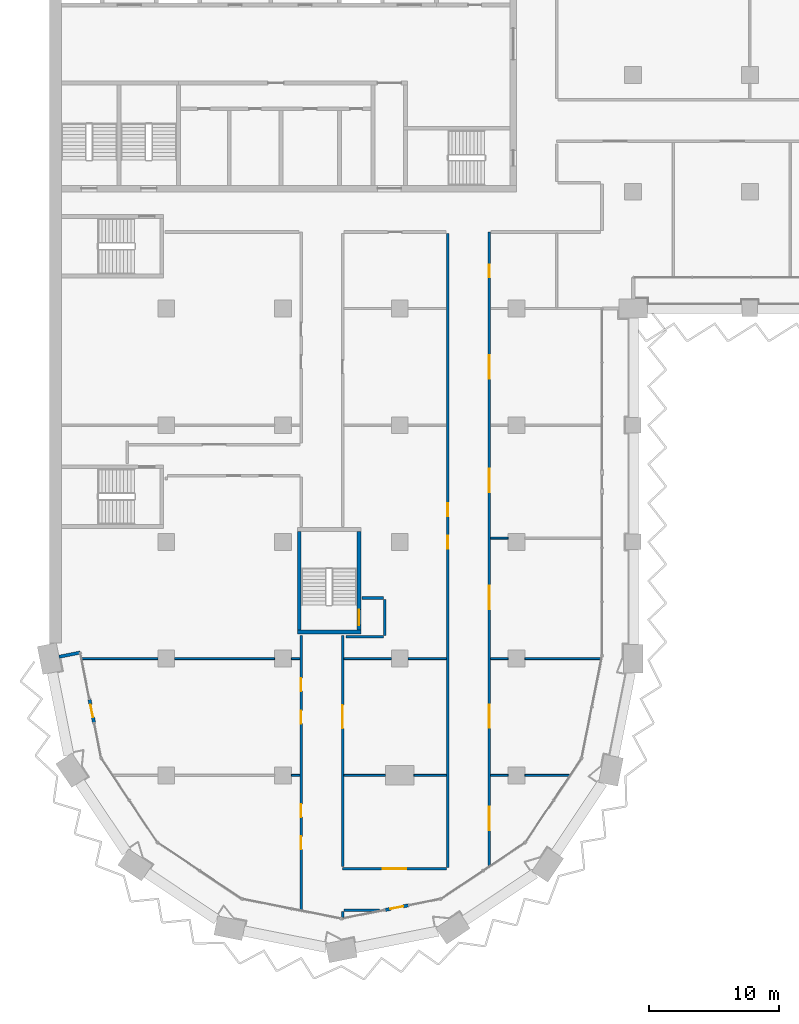
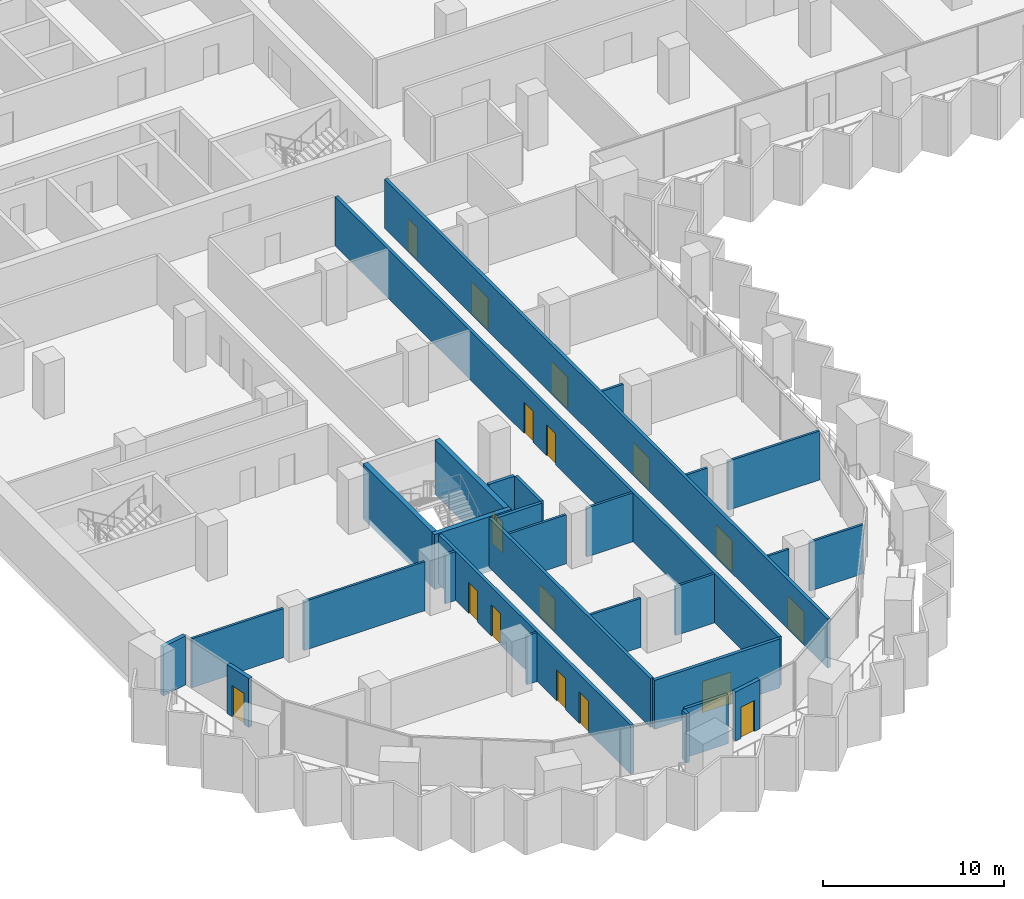
# One storey, part 9 of 22: 29 walls, 17 doors, 17 openings.
"""IFC4 building model written with IfcOpenShell, lengths in metres."""

from ifc_helpers import new_model, si_unit, direction, frame, frame_2d, origin, place, context, subcontext, project, spatial, rectangle, extrude, material, layer, layer_set, type_object, element, fill, save


model = new_model("IFC4")

# Units and contexts
model_context = context("Model", 3, precision=1e-05, world=origin(), true_north=direction((0.0, 1.0)))
body_context = subcontext(model_context, "Body", "Model", "MODEL_VIEW")
ifc_project = project(units=[si_unit("LENGTHUNIT", "METRE"), si_unit("AREAUNIT", "SQUARE_METRE"), si_unit("VOLUMEUNIT", "CUBIC_METRE"), si_unit("PLANEANGLEUNIT", "RADIAN"), si_unit("MASSUNIT", "GRAM", prefix="KILO")], contexts=[model_context])

# Site, building, storey
site_placement = place(None, origin())
site = spatial("IfcSite", under=ifc_project, at=site_placement, CompositionType="ELEMENT")
building_placement = place(site_placement, origin())
building = spatial("IfcBuilding", under=site, at=building_placement, Name="Hunhe Ridgeline Campus", CompositionType="ELEMENT")
storey_placement = place(building_placement, frame((0.0, 0.0, 92.199951171875)))
storey = spatial("IfcBuildingStorey", under=building, at=storey_placement, Name="L22", CompositionType="ELEMENT", Elevation=92.199951171875)

# Walls
ifc_material_1 = material(Name="Concrete C30", Category="concrete")
ifc_layer_1 = layer(ifc_material_1, 0.25)
ifc_layer_set_1 = layer_set([ifc_layer_1], Name="Corner return wall 250 Concrete C30")
wall_type_1 = type_object("IfcWallType", Name="Corner return wall 250 Concrete C30", PredefinedType="SOLIDWALL", material=ifc_layer_set_1)
wall_1_placement = place(storey_placement, frame((0.7353515625, 27.14697265625, 0.0), z_axis=(0.0, 0.0, 1.0), x_axis=(0.980824468215, 0.194893208067, 0.0)))
element("IfcWall", 1, at=wall_1_placement, inside=storey, type_object=wall_type_1, Name="Corner return wall 1", PredefinedType="SOLIDWALL", context=body_context, shape_type="SweptSolid", body=[
    extrude(rectangle(XDim=1.651123046875, YDim=0.25, at=frame_2d((0.82568359375, 0.0))), origin(), (0.0, 0.0, 1.0), 3.300048828125),
])
ifc_material_2 = material(Name="Gypsum board partition")
ifc_layer_2 = layer(ifc_material_2, 0.199951171875)
ifc_layer_set_2 = layer_set([ifc_layer_2], Name="Corridor partition 200 gypsum board on steel studs")
wall_type_2 = type_object("IfcWallType", Name="Corridor partition 200 gypsum board on steel studs", PredefinedType="PARTITIONING", material=ifc_layer_set_2)
wall_2_placement = place(storey_placement, frame((25.45068359375, 7.590087890625, 0.0), z_axis=(0.0, 0.0, 1.0), x_axis=(-1.0, 0.0, 0.0)))
element("IfcWall", 2, at=wall_2_placement, inside=storey, type_object=wall_type_2, Name="F-L22-wall-001", PredefinedType="PARTITIONING", context=body_context, shape_type="SweptSolid", body=[
    extrude(rectangle(XDim=2.750732421875, YDim=0.199951171875, at=frame_2d((1.37548828125, 0.0))), origin(), (0.0, 0.0, 1.0), 3.300048828125),
])

# Wall, opening, door
wall_3_placement = place(storey_placement, frame((22.60009765625, 10.799072265625, 0.0), z_axis=(0.0, 0.0, 1.0), x_axis=(1.0, 0.0, 0.0)))
wall_3 = element("IfcWall", 3, at=wall_3_placement, inside=storey, type_object=wall_type_2, Name="F-L22-wall-002", PredefinedType="PARTITIONING", context=body_context, shape_type="SweptSolid", body=[
    extrude(rectangle(XDim=8.0, YDim=0.199951171875, at=frame_2d((4.0, 0.0))), origin(), (0.0, 0.0, 1.0), 3.300048828125),
])
opening_1_placement = place(wall_3_placement, frame((3.10009765625, 0.0, 0.0)))
opening_1 = element("IfcOpeningElement", 4, at=opening_1_placement, cuts=wall_3, Name="Opening RD2-001", PredefinedType="OPENING", context=body_context, shape_type="SweptSolid", body=[
    extrude(rectangle(XDim=1.800048828125, YDim=2.10009765625, at=frame_2d((0.89990234375, 1.050048828125))), frame((0.0, 0.10009765625, 0.0), z_axis=(0.0, -1.0, 0.0), x_axis=(1.0, 0.0, 0.0)), (0.0, 0.0, 1.0), 0.199951171875),
])
ifc_material_3 = material(Name="Timber door leaf", Category="wood")
door_type_1 = type_object("IfcDoorType", Name="Double fire door 1800x2100 timber FD60", OperationType="DOUBLE_DOOR_SINGLE_SWING", PredefinedType="DOOR", material=ifc_material_3)
door_1_placement = place(opening_1_placement, origin())
door_1 = element("IfcDoor", 5, at=door_1_placement, inside=storey, type_object=door_type_1, Name="F-L22-door-001", OperationType="DOUBLE_DOOR_SINGLE_SWING", OverallHeight=2.10009765625, OverallWidth=1.800048828125, PredefinedType="DOOR", context=body_context, shape_type="SweptSolid", body=[
    extrude(rectangle(XDim=1.800048828125, YDim=2.10009765625, at=frame_2d((0.89990234375, 1.050048828125))), frame((0.0, 0.02490234375, 0.0), z_axis=(0.0, -1.0, 0.0), x_axis=(1.0, 0.0, 0.0)), (0.0, 0.0, 1.0), 0.050048828125),
])
fill(opening_1, door_1)

# Walls
wall_4_placement = place(storey_placement, frame((25.75, 28.675048828125, 0.0), z_axis=(0.0, 0.0, 1.0), x_axis=(-1.0, 0.0, 0.0)))
element("IfcWall", 6, at=wall_4_placement, inside=storey, type_object=wall_type_2, Name="F-L22-wall-017", PredefinedType="PARTITIONING", context=body_context, shape_type="SweptSolid", body=[
    extrude(rectangle(XDim=2.89990234375, YDim=0.199951171875, at=frame_2d((1.449951171875, 0.0))), origin(), (0.0, 0.0, 1.0), 3.300048828125),
])
wall_5_placement = place(storey_placement, frame((24.10400390625, 31.675048828125, 0.0), z_axis=(0.0, 0.0, 1.0), x_axis=(1.0, 0.0, 0.0)))
element("IfcWall", 7, at=wall_5_placement, inside=storey, type_object=wall_type_2, Name="F-L22-wall-018", PredefinedType="PARTITIONING", context=body_context, shape_type="SweptSolid", body=[
    extrude(rectangle(XDim=1.64599609375, YDim=0.199951171875, at=frame_2d((0.822998046875, 0.0))), origin(), (0.0, 0.0, 1.0), 3.300048828125),
])

# Wall, openings, doors
wall_6_placement = place(storey_placement, frame((19.39990234375, 7.61962890625, 0.0), z_axis=(0.0, 0.0, 1.0), x_axis=(0.0, 1.0, 0.0)))
wall_6 = element("IfcWall", 8, at=wall_6_placement, inside=storey, type_object=wall_type_2, Name="F-L22-wall-046", PredefinedType="PARTITIONING", context=body_context, shape_type="SweptSolid", body=[
    extrude(rectangle(XDim=21.17626953125, YDim=0.199951171875, at=frame_2d((10.588134765625, 0.0))), origin(), (0.0, 0.0, 1.0), 3.300048828125),
])
opening_2_placement = place(wall_6_placement, frame((4.66796875, 0.0, 0.0)))
opening_2 = element("IfcOpeningElement", 9, at=opening_2_placement, cuts=wall_6, Name="Opening RD1-002", PredefinedType="OPENING", context=body_context, shape_type="SweptSolid", body=[
    extrude(rectangle(XDim=1.0, YDim=2.10009765625, at=frame_2d((0.5, 1.050048828125))), frame((0.0, 0.10009765625, 0.0), z_axis=(0.0, -1.0, 0.0), x_axis=(1.0, 0.0, 0.0)), (0.0, 0.0, 1.0), 0.199951171875),
])
opening_3_placement = place(wall_6_placement, frame((7.16796875, 0.0, 0.0)))
opening_3 = element("IfcOpeningElement", 10, at=opening_3_placement, cuts=wall_6, Name="Opening RD1-004", PredefinedType="OPENING", context=body_context, shape_type="SweptSolid", body=[
    extrude(rectangle(XDim=1.0, YDim=2.10009765625, at=frame_2d((0.5, 1.050048828125))), frame((0.0, 0.10009765625, 0.0), z_axis=(0.0, -1.0, 0.0), x_axis=(1.0, 0.0, 0.0)), (0.0, 0.0, 1.0), 0.199951171875),
])
opening_4_placement = place(wall_6_placement, frame((14.373779296875, 0.0, 0.0)))
opening_4 = element("IfcOpeningElement", 11, at=opening_4_placement, cuts=wall_6, Name="Opening RD1-005", PredefinedType="OPENING", context=body_context, shape_type="SweptSolid", body=[
    extrude(rectangle(XDim=1.0, YDim=2.10009765625, at=frame_2d((0.5, 1.050048828125))), frame((0.0, 0.10009765625, 0.0), z_axis=(0.0, -1.0, 0.0), x_axis=(1.0, 0.0, 0.0)), (0.0, 0.0, 1.0), 0.199951171875),
])
opening_5_placement = place(wall_6_placement, frame((16.873779296875, 0.0, 0.0)))
opening_5 = element("IfcOpeningElement", 12, at=opening_5_placement, cuts=wall_6, Name="Opening RD1-008", PredefinedType="OPENING", context=body_context, shape_type="SweptSolid", body=[
    extrude(rectangle(XDim=1.0, YDim=2.10009765625, at=frame_2d((0.5, 1.050048828125))), frame((0.0, 0.10009765625, 0.0), z_axis=(0.0, -1.0, 0.0), x_axis=(1.0, 0.0, 0.0)), (0.0, 0.0, 1.0), 0.199951171875),
])
door_type_2 = type_object("IfcDoorType", Name="Single fire door 1000x2100 timber FD60", OperationType="NOTDEFINED", PredefinedType="DOOR", material=ifc_material_3)
door_2_placement = place(opening_2_placement, frame((1.0, 0.0, 0.0), z_axis=(0.0, 0.0, 1.0), x_axis=(-1.0, 0.0, 0.0)))
door_2 = element("IfcDoor", 13, at=door_2_placement, inside=storey, type_object=door_type_2, Name="F-L22-door-002", OperationType="SINGLE_SWING_RIGHT", OverallHeight=2.10009765625, OverallWidth=1.0, PredefinedType="DOOR", context=body_context, shape_type="SweptSolid", body=[
    extrude(rectangle(XDim=1.0, YDim=2.10009765625, at=frame_2d((0.5, 1.050048828125))), frame((0.0, 0.02490234375, 0.0), z_axis=(0.0, -1.0, 0.0), x_axis=(1.0, 0.0, 0.0)), (0.0, 0.0, 1.0), 0.050048828125),
])
fill(opening_2, door_2)
door_3_placement = place(opening_3_placement, frame((1.0, 0.0, 0.0), z_axis=(0.0, 0.0, 1.0), x_axis=(-1.0, 0.0, 0.0)))
door_3 = element("IfcDoor", 14, at=door_3_placement, inside=storey, type_object=door_type_2, Name="F-L22-door-004", OperationType="SINGLE_SWING_LEFT", OverallHeight=2.10009765625, OverallWidth=1.0, PredefinedType="DOOR", context=body_context, shape_type="SweptSolid", body=[
    extrude(rectangle(XDim=1.0, YDim=2.10009765625, at=frame_2d((0.5, 1.050048828125))), frame((0.0, 0.02490234375, 0.0), z_axis=(0.0, -1.0, 0.0), x_axis=(1.0, 0.0, 0.0)), (0.0, 0.0, 1.0), 0.050048828125),
])
fill(opening_3, door_3)
door_4_placement = place(opening_4_placement, frame((1.0, 0.0, 0.0), z_axis=(0.0, 0.0, 1.0), x_axis=(-1.0, 0.0, 0.0)))
door_4 = element("IfcDoor", 15, at=door_4_placement, inside=storey, type_object=door_type_2, Name="F-L22-door-005", OperationType="SINGLE_SWING_LEFT", OverallHeight=2.10009765625, OverallWidth=1.0, PredefinedType="DOOR", context=body_context, shape_type="SweptSolid", body=[
    extrude(rectangle(XDim=1.0, YDim=2.10009765625, at=frame_2d((0.5, 1.050048828125))), frame((0.0, 0.02490234375, 0.0), z_axis=(0.0, -1.0, 0.0), x_axis=(1.0, 0.0, 0.0)), (0.0, 0.0, 1.0), 0.050048828125),
])
fill(opening_4, door_4)
door_5_placement = place(opening_5_placement, frame((1.0, 0.0, 0.0), z_axis=(0.0, 0.0, 1.0), x_axis=(-1.0, 0.0, 0.0)))
door_5 = element("IfcDoor", 16, at=door_5_placement, inside=storey, type_object=door_type_2, Name="F-L22-door-008", OperationType="SINGLE_SWING_LEFT", OverallHeight=2.10009765625, OverallWidth=1.0, PredefinedType="DOOR", context=body_context, shape_type="SweptSolid", body=[
    extrude(rectangle(XDim=1.0, YDim=2.10009765625, at=frame_2d((0.5, 1.050048828125))), frame((0.0, 0.02490234375, 0.0), z_axis=(0.0, -1.0, 0.0), x_axis=(1.0, 0.0, 0.0)), (0.0, 0.0, 1.0), 0.050048828125),
])
fill(opening_5, door_5)

# Wall, opening, door
wall_7_placement = place(storey_placement, frame((22.60009765625, 28.7958984375, 0.0), z_axis=(0.0, 0.0, 1.0), x_axis=(0.0, -1.0, 0.0)))
wall_7 = element("IfcWall", 17, at=wall_7_placement, inside=storey, type_object=wall_type_2, Name="F-L22-wall-049", PredefinedType="PARTITIONING", context=body_context, shape_type="SweptSolid", body=[
    extrude(rectangle(XDim=17.814208984375, YDim=0.199951171875, at=frame_2d((8.9072265625, 0.0))), origin(), (0.0, 0.0, 1.0), 3.300048828125),
])
opening_6_placement = place(wall_7_placement, frame((5.37255859375, 0.0, 0.0)))
opening_6 = element("IfcOpeningElement", 18, at=opening_6_placement, cuts=wall_7, Name="Opening RD2-006", PredefinedType="OPENING", context=body_context, shape_type="SweptSolid", body=[
    extrude(rectangle(XDim=1.800048828125, YDim=2.10009765625, at=frame_2d((0.89990234375, 1.050048828125))), frame((0.0, 0.10009765625, 0.0), z_axis=(0.0, -1.0, 0.0), x_axis=(1.0, 0.0, 0.0)), (0.0, 0.0, 1.0), 0.199951171875),
])
door_6_placement = place(opening_6_placement, origin())
door_6 = element("IfcDoor", 19, at=door_6_placement, inside=storey, type_object=door_type_1, Name="F-L22-door-006", OperationType="DOUBLE_DOOR_SINGLE_SWING", OverallHeight=2.10009765625, OverallWidth=1.800048828125, PredefinedType="DOOR", context=body_context, shape_type="SweptSolid", body=[
    extrude(rectangle(XDim=1.800048828125, YDim=2.10009765625, at=frame_2d((0.89990234375, 1.050048828125))), frame((0.0, 0.02490234375, 0.0), z_axis=(0.0, -1.0, 0.0), x_axis=(1.0, 0.0, 0.0)), (0.0, 0.0, 1.0), 0.050048828125),
])
fill(opening_6, door_6)

# Walls
wall_8_placement = place(storey_placement, frame((22.60009765625, 7.489990234375, 0.0), z_axis=(0.0, 0.0, 1.0), x_axis=(0.0, -1.0, 0.0)))
element("IfcWall", 20, at=wall_8_placement, inside=storey, type_object=wall_type_2, Name="F-L22-wall-050", PredefinedType="PARTITIONING", context=body_context, shape_type="SweptSolid", body=[
    extrude(rectangle(XDim=0.467041015625, YDim=0.199951171875, at=frame_2d((0.2333984375, 0.0))), origin(), (0.0, 0.0, 1.0), 3.300048828125),
])
wall_9_placement = place(storey_placement, frame((25.85009765625, 31.574951171875, 0.0), z_axis=(0.0, 0.0, 1.0), x_axis=(0.0, -1.0, 0.0)))
element("IfcWall", 21, at=wall_9_placement, inside=storey, type_object=wall_type_2, Name="F-L22-wall-052", PredefinedType="PARTITIONING", context=body_context, shape_type="SweptSolid", body=[
    extrude(rectangle(XDim=2.800048828125, YDim=0.199951171875, at=frame_2d((1.39990234375, 0.0))), origin(), (0.0, 0.0, 1.0), 3.300048828125),
])

# Wall, openings, doors
wall_10_placement = place(storey_placement, frame((30.699951171875, 10.89892578125, 0.0), z_axis=(0.0, 0.0, 1.0), x_axis=(0.0, 1.0, 0.0)))
wall_10 = element("IfcWall", 22, at=wall_10_placement, inside=storey, type_object=wall_type_2, Name="F-L22-wall-053", PredefinedType="PARTITIONING", context=body_context, shape_type="SweptSolid", body=[
    extrude(rectangle(XDim=48.901123046875, YDim=0.199951171875, at=frame_2d((24.45068359375, 0.0))), origin(), (0.0, 0.0, 1.0), 3.300048828125),
])
opening_7_placement = place(wall_10_placement, frame((24.577392578125, 0.0, 0.0)))
opening_7 = element("IfcOpeningElement", 23, at=opening_7_placement, cuts=wall_10, Name="Opening RD1-010", PredefinedType="OPENING", context=body_context, shape_type="SweptSolid", body=[
    extrude(rectangle(XDim=1.0, YDim=2.10009765625, at=frame_2d((0.5, 1.050048828125))), frame((0.0, 0.10009765625, 0.0), z_axis=(0.0, -1.0, 0.0), x_axis=(1.0, 0.0, 0.0)), (0.0, 0.0, 1.0), 0.199951171875),
])
opening_8_placement = place(wall_10_placement, frame((27.077392578125, 0.0, 0.0)))
opening_8 = element("IfcOpeningElement", 24, at=opening_8_placement, cuts=wall_10, Name="Opening RD1-011", PredefinedType="OPENING", context=body_context, shape_type="SweptSolid", body=[
    extrude(rectangle(XDim=1.0, YDim=2.10009765625, at=frame_2d((0.5, 1.050048828125))), frame((0.0, 0.10009765625, 0.0), z_axis=(0.0, -1.0, 0.0), x_axis=(1.0, 0.0, 0.0)), (0.0, 0.0, 1.0), 0.199951171875),
])
door_7_placement = place(opening_7_placement, frame((1.0, 0.0, 0.0), z_axis=(0.0, 0.0, 1.0), x_axis=(-1.0, 0.0, 0.0)))
door_7 = element("IfcDoor", 25, at=door_7_placement, inside=storey, type_object=door_type_2, Name="F-L22-door-010", OperationType="SINGLE_SWING_RIGHT", OverallHeight=2.10009765625, OverallWidth=1.0, PredefinedType="DOOR", context=body_context, shape_type="SweptSolid", body=[
    extrude(rectangle(XDim=1.0, YDim=2.10009765625, at=frame_2d((0.5, 1.050048828125))), frame((0.0, 0.02490234375, 0.0), z_axis=(0.0, -1.0, 0.0), x_axis=(1.0, 0.0, 0.0)), (0.0, 0.0, 1.0), 0.050048828125),
])
fill(opening_7, door_7)
door_8_placement = place(opening_8_placement, frame((1.0, 0.0, 0.0), z_axis=(0.0, 0.0, 1.0), x_axis=(-1.0, 0.0, 0.0)))
door_8 = element("IfcDoor", 26, at=door_8_placement, inside=storey, type_object=door_type_2, Name="F-L22-door-011", OperationType="SINGLE_SWING_LEFT", OverallHeight=2.10009765625, OverallWidth=1.0, PredefinedType="DOOR", context=body_context, shape_type="SweptSolid", body=[
    extrude(rectangle(XDim=1.0, YDim=2.10009765625, at=frame_2d((0.5, 1.050048828125))), frame((0.0, 0.02490234375, 0.0), z_axis=(0.0, -1.0, 0.0), x_axis=(1.0, 0.0, 0.0)), (0.0, 0.0, 1.0), 0.050048828125),
])
fill(opening_8, door_8)

wall_11_placement = place(storey_placement, frame((33.89990234375, 59.89990234375, 0.0), z_axis=(0.0, 0.0, 1.0), x_axis=(0.0, -1.0, 0.0)))
wall_11 = element("IfcWall", 27, at=wall_11_placement, inside=storey, type_object=wall_type_2, Name="F-L22-wall-054", PredefinedType="PARTITIONING", context=body_context, shape_type="SweptSolid", body=[
    extrude(rectangle(XDim=48.87060546875, YDim=0.199951171875, at=frame_2d((24.435302734375, 0.0))), origin(), (0.0, 0.0, 1.0), 3.300048828125),
])
opening_9_placement = place(wall_11_placement, frame((44.336669921875, 0.0, 0.0)))
opening_9 = element("IfcOpeningElement", 28, at=opening_9_placement, cuts=wall_11, Name="Opening RD2-003", PredefinedType="OPENING", context=body_context, shape_type="SweptSolid", body=[
    extrude(rectangle(XDim=1.800048828125, YDim=2.10009765625, at=frame_2d((0.89990234375, 1.050048828125))), frame((0.0, 0.10009765625, 0.0), z_axis=(0.0, -1.0, 0.0), x_axis=(1.0, 0.0, 0.0)), (0.0, 0.0, 1.0), 0.199951171875),
])
opening_10_placement = place(wall_11_placement, frame((36.442138671875, 0.0, 0.0)))
opening_10 = element("IfcOpeningElement", 29, at=opening_10_placement, cuts=wall_11, Name="Opening RD2-007", PredefinedType="OPENING", context=body_context, shape_type="SweptSolid", body=[
    extrude(rectangle(XDim=1.800048828125, YDim=2.10009765625, at=frame_2d((0.89990234375, 1.050048828125))), frame((0.0, 0.10009765625, 0.0), z_axis=(0.0, -1.0, 0.0), x_axis=(1.0, 0.0, 0.0)), (0.0, 0.0, 1.0), 0.199951171875),
])
opening_11_placement = place(wall_11_placement, frame((27.294677734375, 0.0, 0.0)))
opening_11 = element("IfcOpeningElement", 30, at=opening_11_placement, cuts=wall_11, Name="Opening RD2-009", PredefinedType="OPENING", context=body_context, shape_type="SweptSolid", body=[
    extrude(rectangle(XDim=1.800048828125, YDim=2.10009765625, at=frame_2d((0.89990234375, 1.050048828125))), frame((0.0, 0.10009765625, 0.0), z_axis=(0.0, -1.0, 0.0), x_axis=(1.0, 0.0, 0.0)), (0.0, 0.0, 1.0), 0.199951171875),
])
opening_12_placement = place(wall_11_placement, frame((18.2724609375, 0.0, 0.0)))
opening_12 = element("IfcOpeningElement", 31, at=opening_12_placement, cuts=wall_11, Name="Opening RD2-012", PredefinedType="OPENING", context=body_context, shape_type="SweptSolid", body=[
    extrude(rectangle(XDim=1.800048828125, YDim=2.10009765625, at=frame_2d((0.89990234375, 1.050048828125))), frame((0.0, 0.10009765625, 0.0), z_axis=(0.0, -1.0, 0.0), x_axis=(1.0, 0.0, 0.0)), (0.0, 0.0, 1.0), 0.199951171875),
])
opening_13_placement = place(wall_11_placement, frame((9.500732421875, 0.0, 0.0)))
opening_13 = element("IfcOpeningElement", 32, at=opening_13_placement, cuts=wall_11, Name="Opening RD2-017", PredefinedType="OPENING", context=body_context, shape_type="SweptSolid", body=[
    extrude(rectangle(XDim=1.800048828125, YDim=2.10009765625, at=frame_2d((0.89990234375, 1.050048828125))), frame((0.0, 0.10009765625, 0.0), z_axis=(0.0, -1.0, 0.0), x_axis=(1.0, 0.0, 0.0)), (0.0, 0.0, 1.0), 0.199951171875),
])
opening_14_placement = place(wall_11_placement, frame((2.50732421875, 0.0, 0.0)))
opening_14 = element("IfcOpeningElement", 33, at=opening_14_placement, cuts=wall_11, Name="Opening RD1-020", PredefinedType="OPENING", context=body_context, shape_type="SweptSolid", body=[
    extrude(rectangle(XDim=1.0, YDim=2.10009765625, at=frame_2d((0.5, 1.050048828125))), frame((0.0, 0.10009765625, 0.0), z_axis=(0.0, -1.0, 0.0), x_axis=(1.0, 0.0, 0.0)), (0.0, 0.0, 1.0), 0.199951171875),
])
door_9_placement = place(opening_9_placement, origin())
door_9 = element("IfcDoor", 34, at=door_9_placement, inside=storey, type_object=door_type_1, Name="F-L22-door-003", OperationType="DOUBLE_DOOR_SINGLE_SWING", OverallHeight=2.10009765625, OverallWidth=1.800048828125, PredefinedType="DOOR", context=body_context, shape_type="SweptSolid", body=[
    extrude(rectangle(XDim=1.800048828125, YDim=2.10009765625, at=frame_2d((0.89990234375, 1.050048828125))), frame((0.0, 0.02490234375, 0.0), z_axis=(0.0, -1.0, 0.0), x_axis=(1.0, 0.0, 0.0)), (0.0, 0.0, 1.0), 0.050048828125),
])
fill(opening_9, door_9)
door_10_placement = place(opening_10_placement, origin())
door_10 = element("IfcDoor", 35, at=door_10_placement, inside=storey, type_object=door_type_1, Name="F-L22-door-007", OperationType="DOUBLE_DOOR_SINGLE_SWING", OverallHeight=2.10009765625, OverallWidth=1.800048828125, PredefinedType="DOOR", context=body_context, shape_type="SweptSolid", body=[
    extrude(rectangle(XDim=1.800048828125, YDim=2.10009765625, at=frame_2d((0.89990234375, 1.050048828125))), frame((0.0, 0.02490234375, 0.0), z_axis=(0.0, -1.0, 0.0), x_axis=(1.0, 0.0, 0.0)), (0.0, 0.0, 1.0), 0.050048828125),
])
fill(opening_10, door_10)
door_11_placement = place(opening_11_placement, origin())
door_11 = element("IfcDoor", 36, at=door_11_placement, inside=storey, type_object=door_type_1, Name="F-L22-door-009", OperationType="DOUBLE_DOOR_SINGLE_SWING", OverallHeight=2.10009765625, OverallWidth=1.800048828125, PredefinedType="DOOR", context=body_context, shape_type="SweptSolid", body=[
    extrude(rectangle(XDim=1.800048828125, YDim=2.10009765625, at=frame_2d((0.89990234375, 1.050048828125))), frame((0.0, 0.02490234375, 0.0), z_axis=(0.0, -1.0, 0.0), x_axis=(1.0, 0.0, 0.0)), (0.0, 0.0, 1.0), 0.050048828125),
])
fill(opening_11, door_11)
door_12_placement = place(opening_12_placement, origin())
door_12 = element("IfcDoor", 37, at=door_12_placement, inside=storey, type_object=door_type_1, Name="F-L22-door-012", OperationType="DOUBLE_DOOR_SINGLE_SWING", OverallHeight=2.10009765625, OverallWidth=1.800048828125, PredefinedType="DOOR", context=body_context, shape_type="SweptSolid", body=[
    extrude(rectangle(XDim=1.800048828125, YDim=2.10009765625, at=frame_2d((0.89990234375, 1.050048828125))), frame((0.0, 0.02490234375, 0.0), z_axis=(0.0, -1.0, 0.0), x_axis=(1.0, 0.0, 0.0)), (0.0, 0.0, 1.0), 0.050048828125),
])
fill(opening_12, door_12)
door_13_placement = place(opening_13_placement, origin())
door_13 = element("IfcDoor", 38, at=door_13_placement, inside=storey, type_object=door_type_1, Name="F-L22-door-017", OperationType="DOUBLE_DOOR_SINGLE_SWING", OverallHeight=2.10009765625, OverallWidth=1.800048828125, PredefinedType="DOOR", context=body_context, shape_type="SweptSolid", body=[
    extrude(rectangle(XDim=1.800048828125, YDim=2.10009765625, at=frame_2d((0.89990234375, 1.050048828125))), frame((0.0, 0.02490234375, 0.0), z_axis=(0.0, -1.0, 0.0), x_axis=(1.0, 0.0, 0.0)), (0.0, 0.0, 1.0), 0.050048828125),
])
fill(opening_13, door_13)
door_14_placement = place(opening_14_placement, origin())
door_14 = element("IfcDoor", 39, at=door_14_placement, inside=storey, type_object=door_type_2, Name="F-L22-door-020", OperationType="SINGLE_SWING_LEFT", OverallHeight=2.10009765625, OverallWidth=1.0, PredefinedType="DOOR", context=body_context, shape_type="SweptSolid", body=[
    extrude(rectangle(XDim=1.0, YDim=2.10009765625, at=frame_2d((0.5, 1.050048828125))), frame((0.0, 0.02490234375, 0.0), z_axis=(0.0, -1.0, 0.0), x_axis=(1.0, 0.0, 0.0)), (0.0, 0.0, 1.0), 0.050048828125),
])
fill(opening_14, door_14)

# Wall, opening, door
ifc_layer_3 = layer(ifc_material_1, 0.25)
ifc_layer_set_3 = layer_set([ifc_layer_3], Name="Loggia door pier wall 250 Concrete C30")
wall_type_3 = type_object("IfcWallType", Name="Loggia door pier wall 250 Concrete C30", PredefinedType="SOLIDWALL", material=ifc_layer_set_3)
wall_12_placement = place(storey_placement, frame((3.076904296875, 23.8388671875, 0.0), z_axis=(0.0, 0.0, 1.0), x_axis=(0.195046569833, -0.980793982239, 0.0)))
wall_12 = element("IfcWall", 40, at=wall_12_placement, inside=storey, type_object=wall_type_3, Name="Loggia door pier 1", PredefinedType="SOLIDWALL", context=body_context, shape_type="SweptSolid", body=[
    extrude(rectangle(XDim=1.800048828125, YDim=0.25, at=frame_2d((0.89990234375, 0.0))), origin(), (0.0, 0.0, 1.0), 3.300048828125),
])
opening_15_placement = place(wall_12_placement, frame((0.39990234375, 0.0, 0.0)))
opening_15 = element("IfcOpeningElement", 41, at=opening_15_placement, cuts=wall_12, Name="Opening BD201", PredefinedType="OPENING", context=body_context, shape_type="SweptSolid", body=[
    extrude(rectangle(XDim=1.0, YDim=2.10009765625, at=frame_2d((0.5, 1.050048828125))), frame((0.0, 0.125, 0.0), z_axis=(0.0, -1.0, 0.0), x_axis=(1.0, 0.0, 0.0)), (0.0, 0.0, 1.0), 0.25),
])
ifc_material_4 = material(Name="Aluminium 6063", Category="aluminium")
door_type_3 = type_object("IfcDoorType", Name="Loggia glazed door 1000x2100", OperationType="NOTDEFINED", PredefinedType="DOOR", material=ifc_material_4)
door_15_placement = place(opening_15_placement, frame((1.0, 0.0, 0.0), z_axis=(0.0, 0.0, 1.0), x_axis=(-1.0, 0.0, 0.0)))
door_15 = element("IfcDoor", 42, at=door_15_placement, inside=storey, type_object=door_type_3, Name="Loggia door BD201", OperationType="SINGLE_SWING_RIGHT", OverallHeight=2.10009765625, OverallWidth=1.0, PredefinedType="DOOR", context=body_context, shape_type="SweptSolid", body=[
    extrude(rectangle(XDim=1.0, YDim=2.10009765625, at=frame_2d((0.5, 1.050048828125))), frame((0.0, 0.02490234375, 0.0), z_axis=(0.0, -1.0, 0.0), x_axis=(1.0, 0.0, 0.0)), (0.0, 0.0, 1.0), 0.050048828125),
])
fill(opening_15, door_15)

wall_13_placement = place(storey_placement, frame((25.8955078125, 7.62353515625, 0.0), z_axis=(0.0, 0.0, 1.0), x_axis=(0.980793982239, 0.195046569833, 0.0)))
wall_13 = element("IfcWall", 43, at=wall_13_placement, inside=storey, type_object=wall_type_3, Name="Loggia door pier 2", PredefinedType="SOLIDWALL", context=body_context, shape_type="SweptSolid", body=[
    extrude(rectangle(XDim=1.800048828125, YDim=0.25, at=frame_2d((0.89990234375, 0.0))), origin(), (0.0, 0.0, 1.0), 3.300048828125),
])
opening_16_placement = place(wall_13_placement, frame((0.39990234375, 0.0, 0.0)))
opening_16 = element("IfcOpeningElement", 44, at=opening_16_placement, cuts=wall_13, Name="Opening BD203", PredefinedType="OPENING", context=body_context, shape_type="SweptSolid", body=[
    extrude(rectangle(XDim=1.0, YDim=2.10009765625, at=frame_2d((0.5, 1.050048828125))), frame((0.0, 0.125, 0.0), z_axis=(0.0, -1.0, 0.0), x_axis=(1.0, 0.0, 0.0)), (0.0, 0.0, 1.0), 0.25),
])
door_16_placement = place(opening_16_placement, frame((1.0, 0.0, 0.0), z_axis=(0.0, 0.0, 1.0), x_axis=(-1.0, 0.0, 0.0)))
door_16 = element("IfcDoor", 45, at=door_16_placement, inside=storey, type_object=door_type_3, Name="Loggia door BD203", OperationType="SINGLE_SWING_RIGHT", OverallHeight=2.10009765625, OverallWidth=1.0, PredefinedType="DOOR", context=body_context, shape_type="SweptSolid", body=[
    extrude(rectangle(XDim=1.0, YDim=2.10009765625, at=frame_2d((0.5, 1.050048828125))), frame((0.0, 0.02490234375, 0.0), z_axis=(0.0, -1.0, 0.0), x_axis=(1.0, 0.0, 0.0)), (0.0, 0.0, 1.0), 0.050048828125),
])
fill(opening_16, door_16)

# Walls
ifc_layer_4 = layer(ifc_material_2, 0.14990234375)
ifc_layer_set_4 = layer_set([ifc_layer_4], Name="Room partition 150 gypsum board on steel studs")
wall_type_4 = type_object("IfcWallType", Name="Room partition 150 gypsum board on steel studs", PredefinedType="PARTITIONING", material=ifc_layer_set_4)
wall_14_placement = place(storey_placement, frame((18.64990234375, 18.0, 0.0), z_axis=(0.0, 0.0, 1.0), x_axis=(1.0, 0.0, 0.0)))
element("IfcWall", 46, at=wall_14_placement, inside=storey, type_object=wall_type_4, Name="F-L22-wall-005", PredefinedType="PARTITIONING", context=body_context, shape_type="SweptSolid", body=[
    extrude(rectangle(XDim=0.650146484375, YDim=0.14990234375, at=frame_2d((0.3251953125, 0.0))), origin(), (0.0, 0.0, 1.0), 3.300048828125),
])
wall_15_placement = place(storey_placement, frame((22.699951171875, 18.0, 0.0), z_axis=(0.0, 0.0, 1.0), x_axis=(1.0, 0.0, 0.0)))
element("IfcWall", 47, at=wall_15_placement, inside=storey, type_object=wall_type_4, Name="F-L22-wall-006", PredefinedType="PARTITIONING", context=body_context, shape_type="SweptSolid", body=[
    extrude(rectangle(XDim=3.199951171875, YDim=0.14990234375, at=frame_2d((1.60009765625, 0.0))), origin(), (0.0, 0.0, 1.0), 3.300048828125),
])
wall_16_placement = place(storey_placement, frame((28.10009765625, 18.0, 0.0), z_axis=(0.0, 0.0, 1.0), x_axis=(1.0, 0.0, 0.0)))
element("IfcWall", 48, at=wall_16_placement, inside=storey, type_object=wall_type_4, Name="F-L22-wall-007", PredefinedType="PARTITIONING", context=body_context, shape_type="SweptSolid", body=[
    extrude(rectangle(XDim=2.5, YDim=0.14990234375, at=frame_2d((1.25, 0.0))), origin(), (0.0, 0.0, 1.0), 3.300048828125),
])
wall_17_placement = place(storey_placement, frame((34.0, 18.0, 0.0), z_axis=(0.0, 0.0, 1.0), x_axis=(1.0, 0.0, 0.0)))
element("IfcWall", 49, at=wall_17_placement, inside=storey, type_object=wall_type_4, Name="F-L22-wall-008", PredefinedType="PARTITIONING", context=body_context, shape_type="SweptSolid", body=[
    extrude(rectangle(XDim=1.35009765625, YDim=0.14990234375, at=frame_2d((0.675048828125, 0.0))), origin(), (0.0, 0.0, 1.0), 3.300048828125),
])
wall_18_placement = place(storey_placement, frame((36.64990234375, 18.0, 0.0), z_axis=(0.0, 0.0, 1.0), x_axis=(1.0, 0.0, 0.0)))
element("IfcWall", 50, at=wall_18_placement, inside=storey, type_object=wall_type_4, Name="F-L22-wall-009", PredefinedType="PARTITIONING", context=body_context, shape_type="SweptSolid", body=[
    extrude(rectangle(XDim=3.424560546875, YDim=0.14990234375, at=frame_2d((1.71240234375, 0.0))), origin(), (0.0, 0.0, 1.0), 3.300048828125),
])
wall_19_placement = place(storey_placement, frame((2.503173828125, 27.0, 0.0), z_axis=(0.0, 0.0, 1.0), x_axis=(1.0, 0.0, 0.0)))
element("IfcWall", 51, at=wall_19_placement, inside=storey, type_object=wall_type_4, Name="F-L22-wall-010", PredefinedType="PARTITIONING", context=body_context, shape_type="SweptSolid", body=[
    extrude(rectangle(XDim=5.846923828125, YDim=0.14990234375, at=frame_2d((2.92333984375, 0.0))), origin(), (0.0, 0.0, 1.0), 3.300048828125),
])
wall_20_placement = place(storey_placement, frame((9.64990234375, 27.0, 0.0), z_axis=(0.0, 0.0, 1.0), x_axis=(1.0, 0.0, 0.0)))
element("IfcWall", 52, at=wall_20_placement, inside=storey, type_object=wall_type_4, Name="F-L22-wall-011", PredefinedType="PARTITIONING", context=body_context, shape_type="SweptSolid", body=[
    extrude(rectangle(XDim=7.7001953125, YDim=0.14990234375, at=frame_2d((3.85009765625, 0.0))), origin(), (0.0, 0.0, 1.0), 3.300048828125),
])
wall_21_placement = place(storey_placement, frame((18.64990234375, 27.0, 0.0), z_axis=(0.0, 0.0, 1.0), x_axis=(1.0, 0.0, 0.0)))
element("IfcWall", 53, at=wall_21_placement, inside=storey, type_object=wall_type_4, Name="F-L22-wall-012", PredefinedType="PARTITIONING", context=body_context, shape_type="SweptSolid", body=[
    extrude(rectangle(XDim=0.650146484375, YDim=0.14990234375, at=frame_2d((0.3251953125, 0.0))), origin(), (0.0, 0.0, 1.0), 3.300048828125),
])
wall_22_placement = place(storey_placement, frame((22.699951171875, 27.0, 0.0), z_axis=(0.0, 0.0, 1.0), x_axis=(1.0, 0.0, 0.0)))
element("IfcWall", 54, at=wall_22_placement, inside=storey, type_object=wall_type_4, Name="F-L22-wall-013", PredefinedType="PARTITIONING", context=body_context, shape_type="SweptSolid", body=[
    extrude(rectangle(XDim=3.650146484375, YDim=0.14990234375, at=frame_2d((1.8251953125, 0.0))), origin(), (0.0, 0.0, 1.0), 3.300048828125),
])
wall_23_placement = place(storey_placement, frame((27.64990234375, 27.0, 0.0), z_axis=(0.0, 0.0, 1.0), x_axis=(1.0, 0.0, 0.0)))
element("IfcWall", 55, at=wall_23_placement, inside=storey, type_object=wall_type_4, Name="F-L22-wall-014", PredefinedType="PARTITIONING", context=body_context, shape_type="SweptSolid", body=[
    extrude(rectangle(XDim=2.9501953125, YDim=0.14990234375, at=frame_2d((1.47509765625, 0.0))), origin(), (0.0, 0.0, 1.0), 3.300048828125),
])
wall_24_placement = place(storey_placement, frame((34.0, 27.0, 0.0), z_axis=(0.0, 0.0, 1.0), x_axis=(1.0, 0.0, 0.0)))
element("IfcWall", 56, at=wall_24_placement, inside=storey, type_object=wall_type_4, Name="F-L22-wall-015", PredefinedType="PARTITIONING", context=body_context, shape_type="SweptSolid", body=[
    extrude(rectangle(XDim=1.35009765625, YDim=0.14990234375, at=frame_2d((0.675048828125, 0.0))), origin(), (0.0, 0.0, 1.0), 3.300048828125),
])
wall_25_placement = place(storey_placement, frame((36.64990234375, 27.0, 0.0), z_axis=(0.0, 0.0, 1.0), x_axis=(1.0, 0.0, 0.0)))
element("IfcWall", 57, at=wall_25_placement, inside=storey, type_object=wall_type_4, Name="F-L22-wall-016", PredefinedType="PARTITIONING", context=body_context, shape_type="SweptSolid", body=[
    extrude(rectangle(XDim=5.846923828125, YDim=0.14990234375, at=frame_2d((2.92333984375, 0.0))), origin(), (0.0, 0.0, 1.0), 3.300048828125),
])
wall_26_placement = place(storey_placement, frame((34.0, 36.300048828125, 0.0), z_axis=(0.0, 0.0, 1.0), x_axis=(1.0, 0.0, 0.0)))
element("IfcWall", 58, at=wall_26_placement, inside=storey, type_object=wall_type_4, Name="F-L22-wall-019", PredefinedType="PARTITIONING", context=body_context, shape_type="SweptSolid", body=[
    extrude(rectangle(XDim=1.35009765625, YDim=0.14990234375, at=frame_2d((0.675048828125, 0.0))), origin(), (0.0, 0.0, 1.0), 3.300048828125),
])
ifc_material_5 = material(Name="Concrete C80", Category="concrete")
ifc_layer_5 = layer(ifc_material_5, 0.300048828125)
ifc_layer_set_5 = layer_set([ifc_layer_5], Name="Stair wall 300 reinforced concrete C80")
wall_type_5 = type_object("IfcWallType", Name="Stair wall 300 reinforced concrete C80", PredefinedType="SOLIDWALL", material=ifc_layer_set_5)
wall_27_placement = place(storey_placement, frame((19.10009765625, 29.050048828125, -0.39990234375), z_axis=(0.0, 0.0, 1.0), x_axis=(1.0, 0.0, 0.0)))
element("IfcWall", 59, at=wall_27_placement, inside=storey, type_object=wall_type_5, Name="L22 core wall 1", PredefinedType="SOLIDWALL", context=body_context, shape_type="SweptSolid", body=[
    extrude(rectangle(XDim=4.89990234375, YDim=0.300048828125, at=frame_2d((2.449951171875, 0.0))), origin(), (0.0, 0.0, 1.0), 3.699951171875),
])
wall_28_placement = place(storey_placement, frame((19.25, 29.199951171875, -0.39990234375), z_axis=(0.0, 0.0, 1.0), x_axis=(0.0, 1.0, 0.0)))
element("IfcWall", 60, at=wall_28_placement, inside=storey, type_object=wall_type_5, Name="L22 core wall 48", PredefinedType="SOLIDWALL", context=body_context, shape_type="SweptSolid", body=[
    extrude(rectangle(XDim=7.60009765625, YDim=0.300048828125, at=frame_2d((3.800048828125, 0.0))), origin(), (0.0, 0.0, 1.0), 3.699951171875),
])

# Wall, opening, door
wall_29_placement = place(storey_placement, frame((23.85009765625, 29.199951171875, -0.39990234375), z_axis=(0.0, 0.0, 1.0), x_axis=(0.0, 1.0, 0.0)))
wall_29 = element("IfcWall", 61, at=wall_29_placement, inside=storey, type_object=wall_type_5, Name="L22 core wall 53", PredefinedType="SOLIDWALL", context=body_context, shape_type="SweptSolid", body=[
    extrude(rectangle(XDim=7.60009765625, YDim=0.300048828125, at=frame_2d((3.800048828125, 0.0))), origin(), (0.0, 0.0, 1.0), 3.699951171875),
])
opening_17_placement = place(wall_29_placement, frame((0.375, 0.0, 0.39990234375)))
opening_17 = element("IfcOpeningElement", 62, at=opening_17_placement, cuts=wall_29, Name="Opening CD23", PredefinedType="OPENING", context=body_context, shape_type="SweptSolid", body=[
    extrude(rectangle(XDim=1.199951171875, YDim=2.10009765625, at=frame_2d((0.60009765625, 1.050048828125))), frame((0.0, 0.14990234375, 0.0), z_axis=(0.0, -1.0, 0.0), x_axis=(1.0, 0.0, 0.0)), (0.0, 0.0, 1.0), 0.300048828125),
])
ifc_material_6 = material(Name="Hollow metal fire door leaf")
door_type_4 = type_object("IfcDoorType", Name="Stair door 1200x2100 FD60", OperationType="SINGLE_SWING_LEFT", PredefinedType="DOOR", material=ifc_material_6)
door_17_placement = place(opening_17_placement, frame((1.199951171875, 0.0, 0.0), z_axis=(0.0, 0.0, 1.0), x_axis=(-1.0, 0.0, 0.0)))
door_17 = element("IfcDoor", 63, at=door_17_placement, inside=storey, type_object=door_type_4, Name="L22 door W3", OperationType="SINGLE_SWING_LEFT", OverallHeight=2.10009765625, OverallWidth=1.199951171875, PredefinedType="DOOR", context=body_context, shape_type="SweptSolid", body=[
    extrude(rectangle(XDim=1.199951171875, YDim=2.10009765625, at=frame_2d((0.60009765625, 1.050048828125))), frame((0.0, 0.02490234375, 0.0), z_axis=(0.0, -1.0, 0.0), x_axis=(1.0, 0.0, 0.0)), (0.0, 0.0, 1.0), 0.050048828125),
])
fill(opening_17, door_17)

save(model, "model.ifc")
